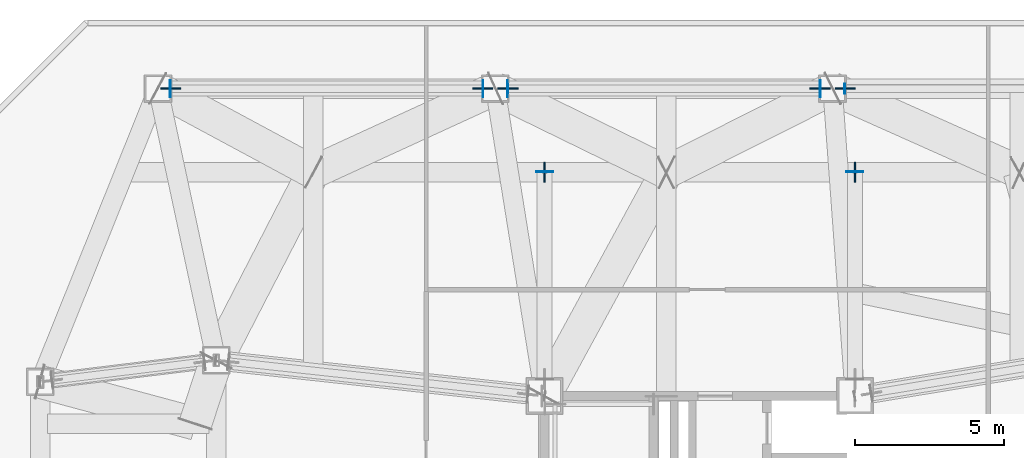
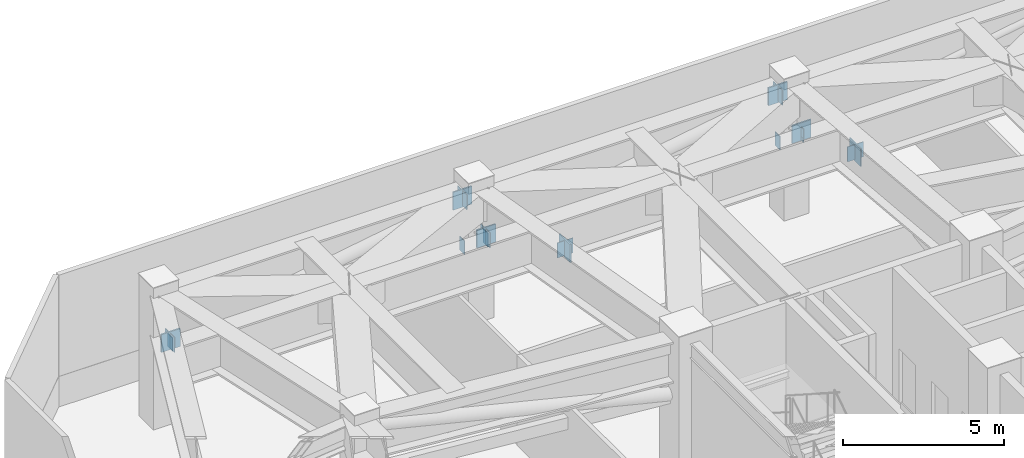
# One storey, part 13 of 19: 19 plates.
"""IFC4 building model written with IfcOpenShell, lengths in metres."""

from ifc_helpers import new_model, si_unit, direction, frame, origin, origin_2d, place, context, subcontext, project, spatial, rectangle, extrude, material, layer, layer_set, type_object, element, save


model = new_model("IFC4")

# Units and contexts
model_context = context("Model", 3, precision=1e-05, world=origin(), true_north=direction((0.0, 1.0)))
body_context = subcontext(model_context, "Body", "Model", "MODEL_VIEW")
ifc_project = project(units=[si_unit("LENGTHUNIT", "METRE"), si_unit("AREAUNIT", "SQUARE_METRE"), si_unit("VOLUMEUNIT", "CUBIC_METRE"), si_unit("PLANEANGLEUNIT", "RADIAN"), si_unit("MASSUNIT", "GRAM", prefix="KILO")], contexts=[model_context])

# Site, building, storey
site_placement = place(None, origin())
site = spatial("IfcSite", under=ifc_project, at=site_placement, CompositionType="ELEMENT")
building_placement = place(site_placement, origin())
building = spatial("IfcBuilding", under=site, at=building_placement, Name="Khamvora Tower", CompositionType="ELEMENT")
storey_placement = place(building_placement, frame((0.0, 0.0, 150.5)))
storey = spatial("IfcBuildingStorey", under=building, at=storey_placement, Name="L38", CompositionType="ELEMENT", Elevation=150.5)

# Plates
ifc_material_1 = material(Name="Steel S355", Category="steel")
ifc_layer_1 = layer(ifc_material_1, 0.02490234375)
ifc_layer_set_1 = layer_set([ifc_layer_1], Name="Steel S355")
plate_type_1 = type_object("IfcPlateType", Name="PL-CAP-25", PredefinedType="SHEET", material=ifc_layer_set_1)
for number, where, z_axis, x_axis, name in (
    (1, (16.468017578125, 47.300048828125, 2.5048828125), (0.0, 0.0, 1.0), (1.0, 0.0, 0.0), "L38 hollow section steel end cap plate 0854"),
    (2, (26.93310546875, 47.300048828125, 2.5048828125), (0.0, 0.0, 1.0), (1.0, 0.0, 0.0), "L38 hollow section steel end cap plate 0855"),
):
    element("IfcPlate", number, at=place(storey_placement, frame(where, z_axis=z_axis, x_axis=x_axis)), inside=storey, type_object=plate_type_1, Name=name, PredefinedType="SHEET", context=body_context, shape_type="SweptSolid", body=[
        extrude(rectangle(XDim=0.02490234375, YDim=0.31005859375, at=origin_2d()), origin(), (0.0, 0.0, 1.0), 0.510009765625),
    ])
for number, where, z_axis, x_axis, name in (
    (3, (16.4619140625, 47.300048828125, 2.5439453125), (0.0, 0.0, 1.0), (1.0, 0.0, 0.0), "L38 hollow section steel end cap plate 0856"),
    (4, (26.93798828125, 47.300048828125, 4.27783203125), (0.0, 0.0, 1.0), (1.0, 0.0, 0.0), "L38 hollow section steel end cap plate 0857"),
):
    element("IfcPlate", number, at=place(storey_placement, frame(where, z_axis=z_axis, x_axis=x_axis)), inside=storey, type_object=plate_type_1, Name=name, PredefinedType="SHEET", context=body_context, shape_type="SweptSolid", body=[
        extrude(rectangle(XDim=0.02490234375, YDim=0.568115234375, at=origin_2d()), origin(), (0.0, 0.0, 1.0), 0.568115234375),
    ])
for number, where, z_axis, x_axis, name in (
    (5, (27.76806640625, 47.300048828125, 2.5048828125), (0.0, 0.0, 1.0), (1.0, 0.0, 0.0), "L38 hollow section steel end cap plate 0858"),
    (6, (38.23291015625, 47.300048828125, 2.5048828125), (0.0, 0.0, 1.0), (1.0, 0.0, 0.0), "L38 hollow section steel end cap plate 0859"),
):
    element("IfcPlate", number, at=place(storey_placement, frame(where, z_axis=z_axis, x_axis=x_axis)), inside=storey, type_object=plate_type_1, Name=name, PredefinedType="SHEET", context=body_context, shape_type="SweptSolid", body=[
        extrude(rectangle(XDim=0.02490234375, YDim=0.31005859375, at=origin_2d()), origin(), (0.0, 0.0, 1.0), 0.510009765625),
    ])
for number, where, z_axis, x_axis, name in (
    (7, (27.761962890625, 47.300048828125, 2.5439453125), (0.0, 0.0, 1.0), (1.0, 0.0, 0.0), "L38 hollow section steel end cap plate 0860"),
    (8, (38.238037109375, 47.300048828125, 4.27783203125), (0.0, 0.0, 1.0), (1.0, 0.0, 0.0), "L38 hollow section steel end cap plate 0861"),
):
    element("IfcPlate", number, at=place(storey_placement, frame(where, z_axis=z_axis, x_axis=x_axis)), inside=storey, type_object=plate_type_1, Name=name, PredefinedType="SHEET", context=body_context, shape_type="SweptSolid", body=[
        extrude(rectangle(XDim=0.02490234375, YDim=0.568115234375, at=origin_2d()), origin(), (0.0, 0.0, 1.0), 0.568115234375),
    ])
plate_1_placement = place(storey_placement, frame((39.06689453125, 47.300048828125, 2.5048828125), z_axis=(0.0, 0.0, 1.0), x_axis=(1.0, 0.0, 0.0)))
element("IfcPlate", 9, at=plate_1_placement, inside=storey, type_object=plate_type_1, Name="L38 hollow section steel end cap plate 0862", PredefinedType="SHEET", context=body_context, shape_type="SweptSolid", body=[
    extrude(rectangle(XDim=0.02490234375, YDim=0.31005859375, at=origin_2d()), origin(), (0.0, 0.0, 1.0), 0.510009765625),
])
for number, where, z_axis, x_axis, name in (
    (10, (29.0, 44.511962890625, 3.34814453125), (0.0, 0.0, 1.0), (0.0, 1.0, 0.0), "L38 hollow section steel end cap plate 0875"),
    (11, (39.39990234375, 44.511962890625, 3.34814453125), (0.0, 0.0, 1.0), (0.0, 1.0, 0.0), "L38 hollow section steel end cap plate 0877"),
):
    element("IfcPlate", number, at=place(storey_placement, frame(where, z_axis=z_axis, x_axis=x_axis)), inside=storey, type_object=plate_type_1, Name=name, PredefinedType="SHEET", context=body_context, shape_type="SweptSolid", body=[
        extrude(rectangle(XDim=0.02490234375, YDim=0.568115234375, at=origin_2d()), origin(), (0.0, 0.0, 1.0), 0.568115234375),
    ])
plate_2_placement = place(storey_placement, frame((39.06201171875, 47.300048828125, 2.66455078125), z_axis=(0.0, 0.0, 1.0), x_axis=(1.0, 0.0, 0.0)))
element("IfcPlate", 12, at=plate_2_placement, inside=storey, type_object=plate_type_1, Name="L38 hollow section steel end cap plate 0934", PredefinedType="SHEET", context=body_context, shape_type="SweptSolid", body=[
    extrude(rectangle(XDim=0.02490234375, YDim=0.3330078125, at=origin_2d()), origin(), (0.0, 0.0, 1.0), 0.3330078125),
])
ifc_material_2 = material(Name="Steel S460", Category="steel")
ifc_layer_2 = layer(ifc_material_2, 0.050048828125)
ifc_layer_set_2 = layer_set([ifc_layer_2], Name="Steel S460")
plate_type_2 = type_object("IfcPlateType", Name="PLT-GUS-50", PredefinedType="SHEET", material=ifc_layer_set_2)
for number, where, z_axis, x_axis, name in (
    (13, (16.47412109375, 47.300048828125, 2.490234375), (0.0, 0.0, 1.0), (1.0, 0.0, 0.0), "L38 brace connection node gusset plate 0249"),
    (14, (26.926025390625, 47.300048828125, 4.22021484375), (0.0, 0.0, 1.0), (1.0, 0.0, 0.0), "L38 brace connection node gusset plate 0250"),
    (15, (27.77392578125, 47.300048828125, 2.490234375), (0.0, 0.0, 1.0), (1.0, 0.0, 0.0), "L38 brace connection node gusset plate 0251"),
    (16, (38.22607421875, 47.300048828125, 4.22021484375), (0.0, 0.0, 1.0), (1.0, 0.0, 0.0), "L38 brace connection node gusset plate 0252"),
    (17, (29.0, 44.5, 3.2900390625), (0.0, 0.0, 1.0), (0.0, 1.0, 0.0), "L38 brace connection node gusset plate 0260"),
    (18, (39.39990234375, 44.5, 3.2900390625), (0.0, 0.0, 1.0), (0.0, 1.0, 0.0), "L38 brace connection node gusset plate 0262"),
    (19, (39.073974609375, 47.300048828125, 2.4931640625), (0.0, 0.0, 1.0), (1.0, 0.0, 0.0), "L38 brace connection node gusset plate 0271"),
):
    element("IfcPlate", number, at=place(storey_placement, frame(where, z_axis=z_axis, x_axis=x_axis)), inside=storey, type_object=plate_type_2, Name=name, PredefinedType="SHEET", context=body_context, shape_type="SweptSolid", body=[
        extrude(rectangle(XDim=0.679931640625, YDim=0.050048828125, at=origin_2d()), origin(), (0.0, 0.0, 1.0), 0.679931640625),
    ])

save(model, "model.ifc")
